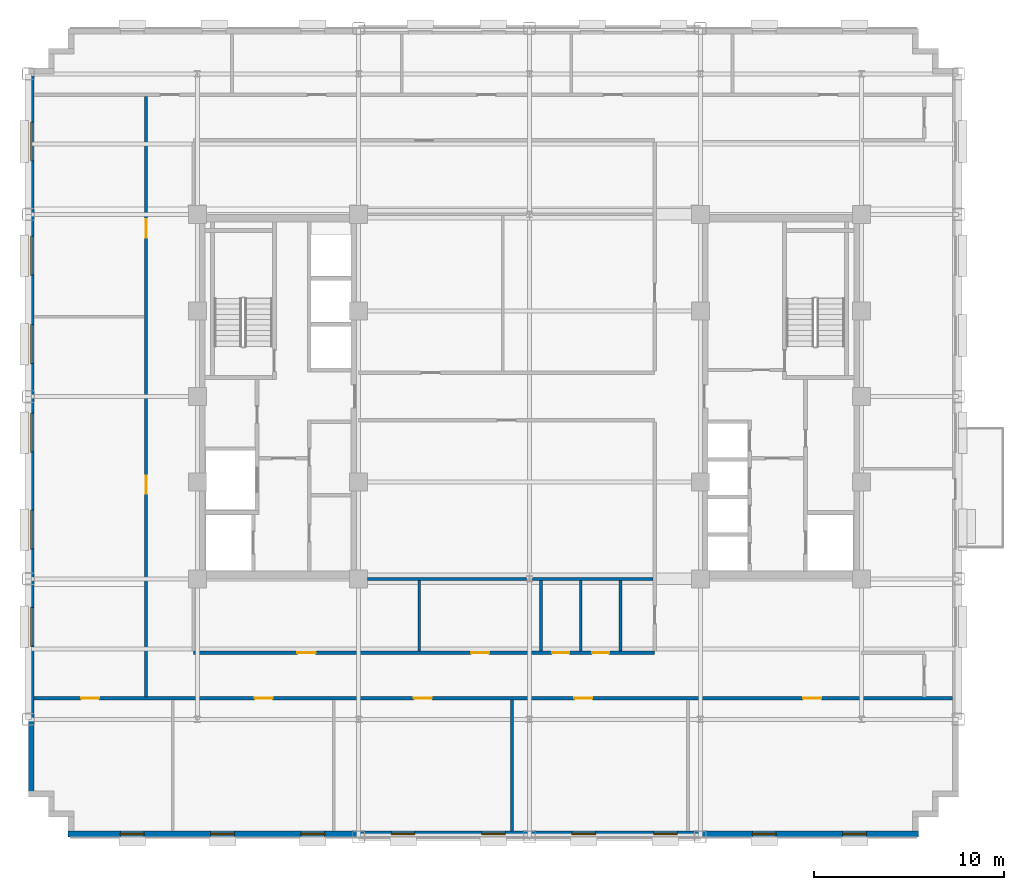
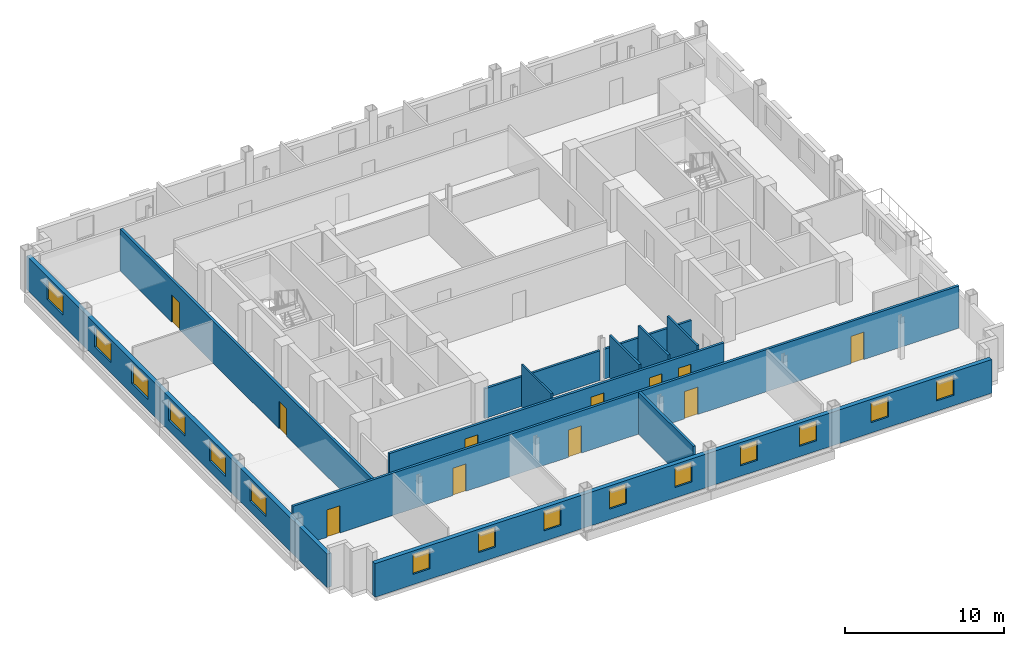
# One storey, part 7 of 14: 15 windows, 12 walls, 11 doors, 26 openings.
"""IFC4 building model written with IfcOpenShell, lengths in metres."""

from ifc_helpers import new_model, si_unit, direction, frame, frame_2d, origin, place, context, subcontext, project, spatial, rectangle, extrude, source, transform, mapped, material, layer, layer_set, type_object, type_shapes, element, fill, save


model = new_model("IFC4")

# Units and contexts
model_context = context("Model", 3, precision=1e-05, world=origin(), true_north=direction((0.0, 1.0)))
body_context = subcontext(model_context, "Body", "Model", "MODEL_VIEW")
ifc_project = project(units=[si_unit("LENGTHUNIT", "METRE"), si_unit("AREAUNIT", "SQUARE_METRE"), si_unit("VOLUMEUNIT", "CUBIC_METRE"), si_unit("PLANEANGLEUNIT", "RADIAN"), si_unit("MASSUNIT", "GRAM", prefix="KILO")], contexts=[model_context])

# Site, building, storey
site_placement = place(None, origin())
site = spatial("IfcSite", under=ifc_project, at=site_placement, CompositionType="ELEMENT")
building_placement = place(site_placement, origin())
building = spatial("IfcBuilding", under=site, at=building_placement, Name="Nuvemarco Arch Tower", CompositionType="ELEMENT")
storey_placement = place(building_placement, frame((0.0, 0.0, 182.25)))
storey = spatial("IfcBuildingStorey", under=building, at=storey_placement, Name="L48", CompositionType="ELEMENT", Elevation=182.25)

# Wall, openings, windows
ifc_material_1 = material(Name="Precast concrete C45/55", Category="concrete")
ifc_layer_1 = layer(ifc_material_1, 0.31005859375, Name="EW-UPP-310")
ifc_layer_set_1 = layer_set([ifc_layer_1], Name="Precast concrete C45/55")
wall_type_1 = type_object("IfcWallType", Name="EW-UPP-310", PredefinedType="STANDARD", material=ifc_layer_set_1)
wall_1_placement = place(storey_placement, frame((-24.300048828125, -23.044921875, 0.0), z_axis=(0.0, 0.0, 1.0), x_axis=(1.0, 0.0, 0.0)))
wall_1 = element("IfcWall", 1, at=wall_1_placement, inside=storey, type_object=wall_type_1, Name="L48 exterior precast facade wall 1", PredefinedType="STANDARD", context=body_context, shape_type="SweptSolid", body=[
    extrude(rectangle(XDim=44.800048828125, YDim=0.31005859375, at=frame_2d((22.39990234375, 0.0))), origin(), (0.0, 0.0, 1.0), 2.5849609375),
])
opening_1_placement = place(wall_1_placement, frame((2.752685546875, 0.0, 0.800048828125)))
opening_1 = element("IfcOpeningElement", 2, at=opening_1_placement, cuts=wall_1, Name="Opening WN-13", PredefinedType="OPENING", context=body_context, shape_type="SweptSolid", body=[
    extrude(rectangle(XDim=1.25, YDim=1.52001953125, at=frame_2d((0.625, 0.760009765625))), frame((0.0, 0.1650390625, 0.0), z_axis=(0.0, -1.0, 0.0), x_axis=(1.0, 0.0, 0.0)), (0.0, 0.0, 1.0), 0.330078125),
])
opening_2_placement = place(wall_1_placement, frame((7.50830078125, 0.0, 0.800048828125)))
opening_2 = element("IfcOpeningElement", 3, at=opening_2_placement, cuts=wall_1, Name="Opening WN-13", PredefinedType="OPENING", context=body_context, shape_type="SweptSolid", body=[
    extrude(rectangle(XDim=1.25, YDim=1.52001953125, at=frame_2d((0.625, 0.760009765625))), frame((0.0, 0.1650390625, 0.0), z_axis=(0.0, -1.0, 0.0), x_axis=(1.0, 0.0, 0.0)), (0.0, 0.0, 1.0), 0.330078125),
])
opening_3_placement = place(wall_1_placement, frame((12.263916015625, 0.0, 0.800048828125)))
opening_3 = element("IfcOpeningElement", 4, at=opening_3_placement, cuts=wall_1, Name="Opening WN-13", PredefinedType="OPENING", context=body_context, shape_type="SweptSolid", body=[
    extrude(rectangle(XDim=1.25, YDim=1.52001953125, at=frame_2d((0.625, 0.760009765625))), frame((0.0, 0.1650390625, 0.0), z_axis=(0.0, -1.0, 0.0), x_axis=(1.0, 0.0, 0.0)), (0.0, 0.0, 1.0), 0.330078125),
])
opening_4_placement = place(wall_1_placement, frame((17.019287109375, 0.0, 0.800048828125)))
opening_4 = element("IfcOpeningElement", 5, at=opening_4_placement, cuts=wall_1, Name="Opening WN-13", PredefinedType="OPENING", context=body_context, shape_type="SweptSolid", body=[
    extrude(rectangle(XDim=1.25, YDim=1.52001953125, at=frame_2d((0.625, 0.760009765625))), frame((0.0, 0.1650390625, 0.0), z_axis=(0.0, -1.0, 0.0), x_axis=(1.0, 0.0, 0.0)), (0.0, 0.0, 1.0), 0.330078125),
])
opening_5_placement = place(wall_1_placement, frame((21.77490234375, 0.0, 0.800048828125)))
opening_5 = element("IfcOpeningElement", 6, at=opening_5_placement, cuts=wall_1, Name="Opening WN-13", PredefinedType="OPENING", context=body_context, shape_type="SweptSolid", body=[
    extrude(rectangle(XDim=1.25, YDim=1.52001953125, at=frame_2d((0.625, 0.760009765625))), frame((0.0, 0.1650390625, 0.0), z_axis=(0.0, -1.0, 0.0), x_axis=(1.0, 0.0, 0.0)), (0.0, 0.0, 1.0), 0.330078125),
])
opening_6_placement = place(wall_1_placement, frame((26.530517578125, 0.0, 0.800048828125)))
opening_6 = element("IfcOpeningElement", 7, at=opening_6_placement, cuts=wall_1, Name="Opening WN-13", PredefinedType="OPENING", context=body_context, shape_type="SweptSolid", body=[
    extrude(rectangle(XDim=1.25, YDim=1.52001953125, at=frame_2d((0.625, 0.760009765625))), frame((0.0, 0.1650390625, 0.0), z_axis=(0.0, -1.0, 0.0), x_axis=(1.0, 0.0, 0.0)), (0.0, 0.0, 1.0), 0.330078125),
])
opening_7_placement = place(wall_1_placement, frame((30.836181640625, 0.0, 0.800048828125)))
opening_7 = element("IfcOpeningElement", 8, at=opening_7_placement, cuts=wall_1, Name="Opening WN-13", PredefinedType="OPENING", context=body_context, shape_type="SweptSolid", body=[
    extrude(rectangle(XDim=1.25, YDim=1.52001953125, at=frame_2d((0.625, 0.760009765625))), frame((0.0, 0.1650390625, 0.0), z_axis=(0.0, -1.0, 0.0), x_axis=(1.0, 0.0, 0.0)), (0.0, 0.0, 1.0), 0.330078125),
])
opening_8_placement = place(wall_1_placement, frame((36.041748046875, 0.0, 0.800048828125)))
opening_8 = element("IfcOpeningElement", 9, at=opening_8_placement, cuts=wall_1, Name="Opening WN-13", PredefinedType="OPENING", context=body_context, shape_type="SweptSolid", body=[
    extrude(rectangle(XDim=1.25, YDim=1.52001953125, at=frame_2d((0.625, 0.760009765625))), frame((0.0, 0.1650390625, 0.0), z_axis=(0.0, -1.0, 0.0), x_axis=(1.0, 0.0, 0.0)), (0.0, 0.0, 1.0), 0.330078125),
])
opening_9_placement = place(wall_1_placement, frame((40.797119140625, 0.0, 0.800048828125)))
opening_9 = element("IfcOpeningElement", 10, at=opening_9_placement, cuts=wall_1, Name="Opening WN-13", PredefinedType="OPENING", context=body_context, shape_type="SweptSolid", body=[
    extrude(rectangle(XDim=1.25, YDim=1.52001953125, at=frame_2d((0.625, 0.760009765625))), frame((0.0, 0.1650390625, 0.0), z_axis=(0.0, -1.0, 0.0), x_axis=(1.0, 0.0, 0.0)), (0.0, 0.0, 1.0), 0.330078125),
])
ifc_material_2 = material(Name="Insulated solar-control glass", Category="glass")
window_type_1 = type_object("IfcWindowType", Name="WN-SET-1250x1520", PartitioningType="SINGLE_PANEL", PredefinedType="WINDOW", material=ifc_material_2)
shared_shape_1 = source(origin(), body_context, "Body", "SweptSolid", [
    extrude(rectangle(XDim=1.25, YDim=1.52001953125, at=frame_2d((0.625, 0.760009765625))), frame((0.0, 0.030029296875, 0.0), z_axis=(0.0, -1.0, 0.0), x_axis=(1.0, 0.0, 0.0)), (0.0, 0.0, 1.0), 0.06005859375),
])
type_shapes(window_type_1, [shared_shape_1])
window_1_placement = place(opening_1_placement, origin())
window_1 = element("IfcWindow", 11, at=window_1_placement, inside=storey, type_object=window_type_1, Name="L48 punched facade window 1", OverallHeight=1.52001953125, OverallWidth=1.25, PartitioningType="SINGLE_PANEL", PredefinedType="WINDOW", context=body_context, shape_type="MappedRepresentation", body=[
    mapped(shared_shape_1, transform((0.0, 0.0, 0.0), scale=1.0)),
])
fill(opening_1, window_1)
window_2_placement = place(opening_2_placement, origin())
window_2 = element("IfcWindow", 12, at=window_2_placement, inside=storey, type_object=window_type_1, Name="L48 punched facade window 2", OverallHeight=1.52001953125, OverallWidth=1.25, PartitioningType="SINGLE_PANEL", PredefinedType="WINDOW", context=body_context, shape_type="MappedRepresentation", body=[
    mapped(shared_shape_1, transform((0.0, 0.0, 0.0), scale=1.0)),
])
fill(opening_2, window_2)
window_3_placement = place(opening_3_placement, origin())
window_3 = element("IfcWindow", 13, at=window_3_placement, inside=storey, type_object=window_type_1, Name="L48 punched facade window 3", OverallHeight=1.52001953125, OverallWidth=1.25, PartitioningType="SINGLE_PANEL", PredefinedType="WINDOW", context=body_context, shape_type="MappedRepresentation", body=[
    mapped(shared_shape_1, transform((0.0, 0.0, 0.0), scale=1.0)),
])
fill(opening_3, window_3)
window_4_placement = place(opening_4_placement, origin())
window_4 = element("IfcWindow", 14, at=window_4_placement, inside=storey, type_object=window_type_1, Name="L48 punched facade window 4", OverallHeight=1.52001953125, OverallWidth=1.25, PartitioningType="SINGLE_PANEL", PredefinedType="WINDOW", context=body_context, shape_type="MappedRepresentation", body=[
    mapped(shared_shape_1, transform((0.0, 0.0, 0.0), scale=1.0)),
])
fill(opening_4, window_4)
window_5_placement = place(opening_5_placement, origin())
window_5 = element("IfcWindow", 15, at=window_5_placement, inside=storey, type_object=window_type_1, Name="L48 punched facade window 5", OverallHeight=1.52001953125, OverallWidth=1.25, PartitioningType="SINGLE_PANEL", PredefinedType="WINDOW", context=body_context, shape_type="MappedRepresentation", body=[
    mapped(shared_shape_1, transform((0.0, 0.0, 0.0), scale=1.0)),
])
fill(opening_5, window_5)
window_6_placement = place(opening_6_placement, origin())
window_6 = element("IfcWindow", 16, at=window_6_placement, inside=storey, type_object=window_type_1, Name="L48 punched facade window 6", OverallHeight=1.52001953125, OverallWidth=1.25, PartitioningType="SINGLE_PANEL", PredefinedType="WINDOW", context=body_context, shape_type="MappedRepresentation", body=[
    mapped(shared_shape_1, transform((0.0, 0.0, 0.0), scale=1.0)),
])
fill(opening_6, window_6)
window_7_placement = place(opening_7_placement, origin())
window_7 = element("IfcWindow", 17, at=window_7_placement, inside=storey, type_object=window_type_1, Name="L48 punched facade window 7", OverallHeight=1.52001953125, OverallWidth=1.25, PartitioningType="SINGLE_PANEL", PredefinedType="WINDOW", context=body_context, shape_type="MappedRepresentation", body=[
    mapped(shared_shape_1, transform((0.0, 0.0, 0.0), scale=1.0)),
])
fill(opening_7, window_7)
window_8_placement = place(opening_8_placement, origin())
window_8 = element("IfcWindow", 18, at=window_8_placement, inside=storey, type_object=window_type_1, Name="L48 punched facade window 8", OverallHeight=1.52001953125, OverallWidth=1.25, PartitioningType="SINGLE_PANEL", PredefinedType="WINDOW", context=body_context, shape_type="MappedRepresentation", body=[
    mapped(shared_shape_1, transform((0.0, 0.0, 0.0), scale=1.0)),
])
fill(opening_8, window_8)
window_9_placement = place(opening_9_placement, origin())
window_9 = element("IfcWindow", 19, at=window_9_placement, inside=storey, type_object=window_type_1, Name="L48 punched facade window 9", OverallHeight=1.52001953125, OverallWidth=1.25, PartitioningType="SINGLE_PANEL", PredefinedType="WINDOW", context=body_context, shape_type="MappedRepresentation", body=[
    mapped(shared_shape_1, transform((0.0, 0.0, 0.0), scale=1.0)),
])
fill(opening_9, window_9)

wall_2_placement = place(storey_placement, frame((-26.2451171875, -20.7939453125, 0.0), z_axis=(0.0, 0.0, 1.0), x_axis=(0.0, 1.0, 0.0)))
wall_2 = element("IfcWall", 20, at=wall_2_placement, inside=storey, type_object=wall_type_1, Name="L48 exterior precast facade wall 16", PredefinedType="STANDARD", context=body_context, shape_type="SweptSolid", body=[
    extrude(rectangle(XDim=37.787841796875, YDim=0.31005859375, at=frame_2d((18.89404296875, 0.0))), origin(), (0.0, 0.0, 1.0), 2.5849609375),
])
opening_10_placement = place(wall_2_placement, frame((7.643798828125, 0.0, 0.800048828125)))
opening_10 = element("IfcOpeningElement", 21, at=opening_10_placement, cuts=wall_2, Name="Opening WN-12", PredefinedType="OPENING", context=body_context, shape_type="SweptSolid", body=[
    extrude(rectangle(XDim=2.050048828125, YDim=1.52001953125, at=frame_2d((1.02490234375, 0.760009765625))), frame((0.0, 0.1650390625, 0.0), z_axis=(0.0, -1.0, 0.0), x_axis=(1.0, 0.0, 0.0)), (0.0, 0.0, 1.0), 0.330078125),
])
opening_11_placement = place(wall_2_placement, frame((12.75634765625, 0.0, 0.800048828125)))
opening_11 = element("IfcOpeningElement", 22, at=opening_11_placement, cuts=wall_2, Name="Opening WN-12", PredefinedType="OPENING", context=body_context, shape_type="SweptSolid", body=[
    extrude(rectangle(XDim=2.050048828125, YDim=1.52001953125, at=frame_2d((1.02490234375, 0.760009765625))), frame((0.0, 0.1650390625, 0.0), z_axis=(0.0, -1.0, 0.0), x_axis=(1.0, 0.0, 0.0)), (0.0, 0.0, 1.0), 0.330078125),
])
opening_12_placement = place(wall_2_placement, frame((17.868896484375, 0.0, 0.800048828125)))
opening_12 = element("IfcOpeningElement", 23, at=opening_12_placement, cuts=wall_2, Name="Opening WN-12", PredefinedType="OPENING", context=body_context, shape_type="SweptSolid", body=[
    extrude(rectangle(XDim=2.050048828125, YDim=1.52001953125, at=frame_2d((1.02490234375, 0.760009765625))), frame((0.0, 0.1650390625, 0.0), z_axis=(0.0, -1.0, 0.0), x_axis=(1.0, 0.0, 0.0)), (0.0, 0.0, 1.0), 0.330078125),
])
opening_13_placement = place(wall_2_placement, frame((22.531494140625, 0.0, 0.800048828125)))
opening_13 = element("IfcOpeningElement", 24, at=opening_13_placement, cuts=wall_2, Name="Opening WN-12", PredefinedType="OPENING", context=body_context, shape_type="SweptSolid", body=[
    extrude(rectangle(XDim=2.050048828125, YDim=1.52001953125, at=frame_2d((1.02490234375, 0.760009765625))), frame((0.0, 0.1650390625, 0.0), z_axis=(0.0, -1.0, 0.0), x_axis=(1.0, 0.0, 0.0)), (0.0, 0.0, 1.0), 0.330078125),
])
opening_14_placement = place(wall_2_placement, frame((27.194091796875, 0.0, 0.800048828125)))
opening_14 = element("IfcOpeningElement", 25, at=opening_14_placement, cuts=wall_2, Name="Opening WN-12", PredefinedType="OPENING", context=body_context, shape_type="SweptSolid", body=[
    extrude(rectangle(XDim=2.050048828125, YDim=1.52001953125, at=frame_2d((1.02490234375, 0.760009765625))), frame((0.0, 0.1650390625, 0.0), z_axis=(0.0, -1.0, 0.0), x_axis=(1.0, 0.0, 0.0)), (0.0, 0.0, 1.0), 0.330078125),
])
opening_15_placement = place(wall_2_placement, frame((33.206787109375, 0.0, 0.800048828125)))
opening_15 = element("IfcOpeningElement", 26, at=opening_15_placement, cuts=wall_2, Name="Opening WN-12", PredefinedType="OPENING", context=body_context, shape_type="SweptSolid", body=[
    extrude(rectangle(XDim=2.050048828125, YDim=1.52001953125, at=frame_2d((1.02490234375, 0.760009765625))), frame((0.0, 0.1650390625, 0.0), z_axis=(0.0, -1.0, 0.0), x_axis=(1.0, 0.0, 0.0)), (0.0, 0.0, 1.0), 0.330078125),
])
window_type_2 = type_object("IfcWindowType", Name="WN-SET-2050x1520", PartitioningType="DOUBLE_PANEL_VERTICAL", PredefinedType="WINDOW", material=ifc_material_2)
shared_shape_2 = source(origin(), body_context, "Body", "SweptSolid", [
    extrude(rectangle(XDim=2.050048828125, YDim=1.52001953125, at=frame_2d((1.02490234375, 0.760009765625))), frame((0.0, 0.030029296875, 0.0), z_axis=(0.0, -1.0, 0.0), x_axis=(1.0, 0.0, 0.0)), (0.0, 0.0, 1.0), 0.06005859375),
])
type_shapes(window_type_2, [shared_shape_2])
window_10_placement = place(opening_10_placement, origin())
window_10 = element("IfcWindow", 27, at=window_10_placement, inside=storey, type_object=window_type_2, Name="L48 punched facade window 2", OverallHeight=1.52001953125, OverallWidth=2.050048828125, PartitioningType="SINGLE_PANEL", PredefinedType="WINDOW", context=body_context, shape_type="MappedRepresentation", body=[
    mapped(shared_shape_2, transform((0.0, 0.0, 0.0), scale=1.0)),
])
fill(opening_10, window_10)
window_11_placement = place(opening_11_placement, origin())
window_11 = element("IfcWindow", 28, at=window_11_placement, inside=storey, type_object=window_type_2, Name="L48 punched facade window 3", OverallHeight=1.52001953125, OverallWidth=2.050048828125, PartitioningType="SINGLE_PANEL", PredefinedType="WINDOW", context=body_context, shape_type="MappedRepresentation", body=[
    mapped(shared_shape_2, transform((0.0, 0.0, 0.0), scale=1.0)),
])
fill(opening_11, window_11)
window_12_placement = place(opening_12_placement, origin())
window_12 = element("IfcWindow", 29, at=window_12_placement, inside=storey, type_object=window_type_2, Name="L48 punched facade window 4", OverallHeight=1.52001953125, OverallWidth=2.050048828125, PartitioningType="SINGLE_PANEL", PredefinedType="WINDOW", context=body_context, shape_type="MappedRepresentation", body=[
    mapped(shared_shape_2, transform((0.0, 0.0, 0.0), scale=1.0)),
])
fill(opening_12, window_12)
window_13_placement = place(opening_13_placement, origin())
window_13 = element("IfcWindow", 30, at=window_13_placement, inside=storey, type_object=window_type_2, Name="L48 punched facade window 5", OverallHeight=1.52001953125, OverallWidth=2.050048828125, PartitioningType="SINGLE_PANEL", PredefinedType="WINDOW", context=body_context, shape_type="MappedRepresentation", body=[
    mapped(shared_shape_2, transform((0.0, 0.0, 0.0), scale=1.0)),
])
fill(opening_13, window_13)
window_14_placement = place(opening_14_placement, origin())
window_14 = element("IfcWindow", 31, at=window_14_placement, inside=storey, type_object=window_type_2, Name="L48 punched facade window 6", OverallHeight=1.52001953125, OverallWidth=2.050048828125, PartitioningType="SINGLE_PANEL", PredefinedType="WINDOW", context=body_context, shape_type="MappedRepresentation", body=[
    mapped(shared_shape_2, transform((0.0, 0.0, 0.0), scale=1.0)),
])
fill(opening_14, window_14)
window_15_placement = place(opening_15_placement, origin())
window_15 = element("IfcWindow", 32, at=window_15_placement, inside=storey, type_object=window_type_2, Name="L48 punched facade window 7", OverallHeight=1.52001953125, OverallWidth=2.050048828125, PartitioningType="SINGLE_PANEL", PredefinedType="WINDOW", context=body_context, shape_type="MappedRepresentation", body=[
    mapped(shared_shape_2, transform((0.0, 0.0, 0.0), scale=1.0)),
])
fill(opening_15, window_15)

# Wall, openings, doors
ifc_material_3 = material(Name="Fire-rated gypsum drywall partition")
ifc_layer_2 = layer(ifc_material_3, 0.179931640625, Name="WL-CORR-180")
ifc_layer_set_2 = layer_set([ifc_layer_2], Name="Fire-rated gypsum drywall partition")
wall_type_2 = type_object("IfcWallType", Name="WL-CORR-180", PredefinedType="PARTITIONING", material=ifc_layer_set_2)
wall_3_placement = place(storey_placement, frame((-26.090087890625, -15.89990234375, 0.0), z_axis=(0.0, 0.0, 1.0), x_axis=(1.0, 0.0, 0.0)))
wall_3 = element("IfcWall", 33, at=wall_3_placement, inside=storey, type_object=wall_type_2, Name="L48 interior wall IW-L48-001", PredefinedType="PARTITIONING", context=body_context, shape_type="SweptSolid", body=[
    extrude(rectangle(XDim=48.380126953125, YDim=0.179931640625, at=frame_2d((24.18994140625, 0.0))), origin(), (0.0, 0.0, 1.0), 3.239990234375),
])
opening_16_placement = place(wall_3_placement, frame((40.510009765625, 0.0, 0.0)))
opening_16 = element("IfcOpeningElement", 34, at=opening_16_placement, cuts=wall_3, Name="Opening FD-5", PredefinedType="OPENING", context=body_context, shape_type="SweptSolid", body=[
    extrude(rectangle(XDim=0.9599609375, YDim=2.10009765625, at=frame_2d((0.47998046875, 1.050048828125))), frame((0.0, 0.099853515625, 0.0), z_axis=(0.0, -1.0, 0.0), x_axis=(1.0, 0.0, 0.0)), (0.0, 0.0, 1.0), 0.199951171875),
])
opening_17_placement = place(wall_3_placement, frame((19.9951171875, 0.0, 0.0)))
opening_17 = element("IfcOpeningElement", 35, at=opening_17_placement, cuts=wall_3, Name="Opening FD-5", PredefinedType="OPENING", context=body_context, shape_type="SweptSolid", body=[
    extrude(rectangle(XDim=0.9599609375, YDim=2.10009765625, at=frame_2d((0.47998046875, 1.050048828125))), frame((0.0, 0.099853515625, 0.0), z_axis=(0.0, -1.0, 0.0), x_axis=(1.0, 0.0, 0.0)), (0.0, 0.0, 1.0), 0.199951171875),
])
opening_18_placement = place(wall_3_placement, frame((28.449951171875, 0.0, 0.0)))
opening_18 = element("IfcOpeningElement", 36, at=opening_18_placement, cuts=wall_3, Name="Opening FD-5", PredefinedType="OPENING", context=body_context, shape_type="SweptSolid", body=[
    extrude(rectangle(XDim=0.9599609375, YDim=2.10009765625, at=frame_2d((0.47998046875, 1.050048828125))), frame((0.0, 0.099853515625, 0.0), z_axis=(0.0, -1.0, 0.0), x_axis=(1.0, 0.0, 0.0)), (0.0, 0.0, 1.0), 0.199951171875),
])
opening_19_placement = place(wall_3_placement, frame((11.60498046875, 0.0, 0.0)))
opening_19 = element("IfcOpeningElement", 37, at=opening_19_placement, cuts=wall_3, Name="Opening FD-5", PredefinedType="OPENING", context=body_context, shape_type="SweptSolid", body=[
    extrude(rectangle(XDim=0.9599609375, YDim=2.10009765625, at=frame_2d((0.47998046875, 1.050048828125))), frame((0.0, 0.099853515625, 0.0), z_axis=(0.0, -1.0, 0.0), x_axis=(1.0, 0.0, 0.0)), (0.0, 0.0, 1.0), 0.199951171875),
])
opening_20_placement = place(wall_3_placement, frame((2.465087890625, 0.0, 0.0)))
opening_20 = element("IfcOpeningElement", 38, at=opening_20_placement, cuts=wall_3, Name="Opening FD-5", PredefinedType="OPENING", context=body_context, shape_type="SweptSolid", body=[
    extrude(rectangle(XDim=0.9599609375, YDim=2.10009765625, at=frame_2d((0.47998046875, 1.050048828125))), frame((0.0, 0.099853515625, 0.0), z_axis=(0.0, -1.0, 0.0), x_axis=(1.0, 0.0, 0.0)), (0.0, 0.0, 1.0), 0.199951171875),
])
ifc_material_4 = material(Name="Timber fire door", Category="wood")
door_type_1 = type_object("IfcDoorType", Name="DR-CORR-FD", OperationType="NOTDEFINED", PredefinedType="DOOR", material=ifc_material_4)
shared_shape_3 = source(origin(), body_context, "Body", "SweptSolid", [
    extrude(rectangle(XDim=0.9599609375, YDim=2.10009765625, at=frame_2d((0.47998046875, 1.050048828125))), frame((0.0, 0.02490234375, 0.0), z_axis=(0.0, -1.0, 0.0), x_axis=(1.0, 0.0, 0.0)), (0.0, 0.0, 1.0), 0.050048828125),
])
type_shapes(door_type_1, [shared_shape_3])
door_1_placement = place(opening_16_placement, origin())
door_1 = element("IfcDoor", 39, at=door_1_placement, inside=storey, type_object=door_type_1, Name="L48 door DR-L48-S_5", OperationType="SINGLE_SWING_RIGHT", OverallHeight=2.10009765625, OverallWidth=0.9599609375, PredefinedType="DOOR", context=body_context, shape_type="MappedRepresentation", body=[
    mapped(shared_shape_3, transform((0.0, 0.0, 0.0), scale=1.0)),
])
fill(opening_16, door_1)
door_2_placement = place(opening_17_placement, origin())
door_2 = element("IfcDoor", 40, at=door_2_placement, inside=storey, type_object=door_type_1, Name="L48 door DR-L48-S_3", OperationType="SINGLE_SWING_RIGHT", OverallHeight=2.10009765625, OverallWidth=0.9599609375, PredefinedType="DOOR", context=body_context, shape_type="MappedRepresentation", body=[
    mapped(shared_shape_3, transform((0.0, 0.0, 0.0), scale=1.0)),
])
fill(opening_17, door_2)
door_3_placement = place(opening_18_placement, origin())
door_3 = element("IfcDoor", 41, at=door_3_placement, inside=storey, type_object=door_type_1, Name="L48 door DR-L48-S_4", OperationType="SINGLE_SWING_RIGHT", OverallHeight=2.10009765625, OverallWidth=0.9599609375, PredefinedType="DOOR", context=body_context, shape_type="MappedRepresentation", body=[
    mapped(shared_shape_3, transform((0.0, 0.0, 0.0), scale=1.0)),
])
fill(opening_18, door_3)
door_4_placement = place(opening_19_placement, origin())
door_4 = element("IfcDoor", 42, at=door_4_placement, inside=storey, type_object=door_type_1, Name="L48 door DR-L48-S_2", OperationType="SINGLE_SWING_LEFT", OverallHeight=2.10009765625, OverallWidth=0.9599609375, PredefinedType="DOOR", context=body_context, shape_type="MappedRepresentation", body=[
    mapped(shared_shape_3, transform((0.0, 0.0, 0.0), scale=1.0)),
])
fill(opening_19, door_4)
door_5_placement = place(opening_20_placement, origin())
door_5 = element("IfcDoor", 43, at=door_5_placement, inside=storey, type_object=door_type_1, Name="L48 door DR-L48-S_1", OperationType="SINGLE_SWING_RIGHT", OverallHeight=2.10009765625, OverallWidth=0.9599609375, PredefinedType="DOOR", context=body_context, shape_type="MappedRepresentation", body=[
    mapped(shared_shape_3, transform((0.0, 0.0, 0.0), scale=1.0)),
])
fill(opening_20, door_5)

wall_4_placement = place(storey_placement, frame((-17.699951171875, -13.5, 0.0), z_axis=(0.0, 0.0, 1.0), x_axis=(1.0, 0.0, 0.0)))
wall_4 = element("IfcWall", 44, at=wall_4_placement, inside=storey, type_object=wall_type_2, Name="L48 interior wall IW-L48-002", PredefinedType="PARTITIONING", context=body_context, shape_type="SweptSolid", body=[
    extrude(rectangle(XDim=24.300048828125, YDim=0.179931640625, at=frame_2d((12.14990234375, 0.0))), origin(), (0.0, 0.0, 1.0), 2.887939453125),
])
opening_21_placement = place(wall_4_placement, frame((5.469970703125, 0.0, 0.0)))
opening_21 = element("IfcOpeningElement", 45, at=opening_21_placement, cuts=wall_4, Name="Opening FD-5", PredefinedType="OPENING", context=body_context, shape_type="SweptSolid", body=[
    extrude(rectangle(XDim=0.9599609375, YDim=2.10009765625, at=frame_2d((0.47998046875, 1.050048828125))), frame((0.0, 0.099853515625, 0.0), z_axis=(0.0, -1.0, 0.0), x_axis=(1.0, 0.0, 0.0)), (0.0, 0.0, 1.0), 0.199951171875),
])
opening_22_placement = place(wall_4_placement, frame((14.6201171875, 0.0, 0.0)))
opening_22 = element("IfcOpeningElement", 46, at=opening_22_placement, cuts=wall_4, Name="Opening FD-5", PredefinedType="OPENING", context=body_context, shape_type="SweptSolid", body=[
    extrude(rectangle(XDim=0.9599609375, YDim=2.10009765625, at=frame_2d((0.47998046875, 1.050048828125))), frame((0.0, 0.099853515625, 0.0), z_axis=(0.0, -1.0, 0.0), x_axis=(1.0, 0.0, 0.0)), (0.0, 0.0, 1.0), 0.199951171875),
])
opening_23_placement = place(wall_4_placement, frame((18.89990234375, 0.0, 0.0)))
opening_23 = element("IfcOpeningElement", 47, at=opening_23_placement, cuts=wall_4, Name="Opening ID-3", PredefinedType="OPENING", context=body_context, shape_type="SweptSolid", body=[
    extrude(rectangle(XDim=0.89990234375, YDim=2.10009765625, at=frame_2d((0.449951171875, 1.050048828125))), frame((0.0, 0.099853515625, 0.0), z_axis=(0.0, -1.0, 0.0), x_axis=(1.0, 0.0, 0.0)), (0.0, 0.0, 1.0), 0.199951171875),
])
opening_24_placement = place(wall_4_placement, frame((21.0, 0.0, 0.0)))
opening_24 = element("IfcOpeningElement", 48, at=opening_24_placement, cuts=wall_4, Name="Opening ID-3", PredefinedType="OPENING", context=body_context, shape_type="SweptSolid", body=[
    extrude(rectangle(XDim=0.89990234375, YDim=2.10009765625, at=frame_2d((0.449951171875, 1.050048828125))), frame((0.0, 0.099853515625, 0.0), z_axis=(0.0, -1.0, 0.0), x_axis=(1.0, 0.0, 0.0)), (0.0, 0.0, 1.0), 0.199951171875),
])
door_6_placement = place(opening_21_placement, origin())
door_6 = element("IfcDoor", 49, at=door_6_placement, inside=storey, type_object=door_type_1, Name="L48 door DR-L48-IN_S1", OperationType="SINGLE_SWING_LEFT", OverallHeight=2.10009765625, OverallWidth=0.9599609375, PredefinedType="DOOR", context=body_context, shape_type="MappedRepresentation", body=[
    mapped(shared_shape_3, transform((0.0, 0.0, 0.0), scale=1.0)),
])
fill(opening_21, door_6)
door_7_placement = place(opening_22_placement, origin())
door_7 = element("IfcDoor", 50, at=door_7_placement, inside=storey, type_object=door_type_1, Name="L48 door DR-L48-IN_S2", OperationType="SINGLE_SWING_RIGHT", OverallHeight=2.10009765625, OverallWidth=0.9599609375, PredefinedType="DOOR", context=body_context, shape_type="MappedRepresentation", body=[
    mapped(shared_shape_3, transform((0.0, 0.0, 0.0), scale=1.0)),
])
fill(opening_22, door_7)
ifc_material_5 = material(Name="Veneered oak timber fire door", Category="wood")
door_type_2 = type_object("IfcDoorType", Name="DR-WC-ACC", OperationType="NOTDEFINED", PredefinedType="DOOR", material=ifc_material_5)
shared_shape_4 = source(origin(), body_context, "Body", "SweptSolid", [
    extrude(rectangle(XDim=0.89990234375, YDim=2.10009765625, at=frame_2d((0.449951171875, 1.050048828125))), frame((0.0, 0.02490234375, 0.0), z_axis=(0.0, -1.0, 0.0), x_axis=(1.0, 0.0, 0.0)), (0.0, 0.0, 1.0), 0.050048828125),
])
type_shapes(door_type_2, [shared_shape_4])
door_8_placement = place(opening_23_placement, origin())
door_8 = element("IfcDoor", 51, at=door_8_placement, inside=storey, type_object=door_type_2, Name="L48 door DR-L48-WC_M", OperationType="SINGLE_SWING_RIGHT", OverallHeight=2.10009765625, OverallWidth=0.89990234375, PredefinedType="DOOR", context=body_context, shape_type="MappedRepresentation", body=[
    mapped(shared_shape_4, transform((0.0, 0.0, 0.0), scale=1.0)),
])
fill(opening_23, door_8)
door_9_placement = place(opening_24_placement, origin())
door_9 = element("IfcDoor", 52, at=door_9_placement, inside=storey, type_object=door_type_2, Name="L48 door DR-L48-WC_F", OperationType="SINGLE_SWING_LEFT", OverallHeight=2.10009765625, OverallWidth=0.89990234375, PredefinedType="DOOR", context=body_context, shape_type="MappedRepresentation", body=[
    mapped(shared_shape_4, transform((0.0, 0.0, 0.0), scale=1.0)),
])
fill(opening_24, door_9)

wall_5_placement = place(storey_placement, frame((-20.199951171875, -15.81396484375, 0.0), z_axis=(0.0, 0.0, 1.0), x_axis=(0.0, 1.0, 0.0)))
wall_5 = element("IfcWall", 53, at=wall_5_placement, inside=storey, type_object=wall_type_2, Name="L48 interior wall IW-L48-015", PredefinedType="PARTITIONING", context=body_context, shape_type="SweptSolid", body=[
    extrude(rectangle(XDim=31.6279296875, YDim=0.179931640625, at=frame_2d((15.81396484375, 0.0))), origin(), (0.0, 0.0, 1.0), 3.239990234375),
])
opening_25_placement = place(wall_5_placement, frame((10.68408203125, 0.0, 0.0)))
opening_25 = element("IfcOpeningElement", 54, at=opening_25_placement, cuts=wall_5, Name="Opening FD-5", PredefinedType="OPENING", context=body_context, shape_type="SweptSolid", body=[
    extrude(rectangle(XDim=0.9599609375, YDim=2.10009765625, at=frame_2d((0.47998046875, 1.050048828125))), frame((0.0, 0.099853515625, 0.0), z_axis=(0.0, -1.0, 0.0), x_axis=(1.0, 0.0, 0.0)), (0.0, 0.0, 1.0), 0.199951171875),
])
opening_26_placement = place(wall_5_placement, frame((24.18408203125, 0.0, 0.0)))
opening_26 = element("IfcOpeningElement", 55, at=opening_26_placement, cuts=wall_5, Name="Opening FD-5", PredefinedType="OPENING", context=body_context, shape_type="SweptSolid", body=[
    extrude(rectangle(XDim=0.9599609375, YDim=2.10009765625, at=frame_2d((0.47998046875, 1.050048828125))), frame((0.0, 0.099853515625, 0.0), z_axis=(0.0, -1.0, 0.0), x_axis=(1.0, 0.0, 0.0)), (0.0, 0.0, 1.0), 0.199951171875),
])
door_10_placement = place(opening_25_placement, origin())
door_10 = element("IfcDoor", 56, at=door_10_placement, inside=storey, type_object=door_type_1, Name="L48 door DR-L48-W_1", OperationType="SINGLE_SWING_LEFT", OverallHeight=2.10009765625, OverallWidth=0.9599609375, PredefinedType="DOOR", context=body_context, shape_type="MappedRepresentation", body=[
    mapped(shared_shape_3, transform((0.0, 0.0, 0.0), scale=1.0)),
])
fill(opening_25, door_10)
door_11_placement = place(opening_26_placement, origin())
door_11 = element("IfcDoor", 57, at=door_11_placement, inside=storey, type_object=door_type_1, Name="L48 door DR-L48-W_2", OperationType="SINGLE_SWING_LEFT", OverallHeight=2.10009765625, OverallWidth=0.9599609375, PredefinedType="DOOR", context=body_context, shape_type="MappedRepresentation", body=[
    mapped(shared_shape_3, transform((0.0, 0.0, 0.0), scale=1.0)),
])
fill(opening_26, door_11)

# Walls
wall_6_placement = place(storey_placement, frame((-0.919921875, -22.889892578125, 0.0), z_axis=(0.0, 0.0, 1.0), x_axis=(0.0, 1.0, 0.0)))
element("IfcWall", 58, at=wall_6_placement, inside=storey, type_object=wall_type_2, Name="L48 interior wall IW-L48-024", PredefinedType="PARTITIONING", context=body_context, shape_type="SweptSolid", body=[
    extrude(rectangle(XDim=6.90380859375, YDim=0.179931640625, at=frame_2d((3.451904296875, 0.0))), origin(), (0.0, 0.0, 1.0), 3.239990234375),
])
ifc_material_6 = material(Name="Glazed acoustic office partition")
ifc_layer_3 = layer(ifc_material_6, 0.1298828125, Name="WL-EXEC-130")
ifc_layer_set_3 = layer_set([ifc_layer_3], Name="Glazed acoustic office partition")
wall_type_3 = type_object("IfcWallType", Name="WL-EXEC-130", PredefinedType="PARTITIONING", material=ifc_layer_set_3)
wall_7_placement = place(storey_placement, frame((-5.800048828125, -13.4140625, 0.0), z_axis=(0.0, 0.0, 1.0), x_axis=(0.0, 1.0, 0.0)))
element("IfcWall", 59, at=wall_7_placement, inside=storey, type_object=wall_type_3, Name="L48 interior wall IW-L48-022", PredefinedType="PARTITIONING", context=body_context, shape_type="SweptSolid", body=[
    extrude(rectangle(XDim=3.738037109375, YDim=0.1298828125, at=frame_2d((1.869140625, 0.0))), origin(), (0.0, 0.0, 1.0), 3.239990234375),
])
ifc_material_7 = material(Name="Acoustic gypsum drywall partition")
ifc_layer_4 = layer(ifc_material_7, 0.159912109375, Name="WL-TENANT-160")
ifc_layer_set_4 = layer_set([ifc_layer_4], Name="Acoustic gypsum drywall partition")
wall_type_4 = type_object("IfcWallType", Name="WL-TENANT-160", PredefinedType="PARTITIONING", material=ifc_layer_set_4)
wall_8_placement = place(storey_placement, frame((-8.529052734375, -9.60009765625, 0.0), z_axis=(0.0, 0.0, 1.0), x_axis=(1.0, 0.0, 0.0)))
element("IfcWall", 60, at=wall_8_placement, inside=storey, type_object=wall_type_4, Name="L48 interior wall IW-L48-004", PredefinedType="PARTITIONING", context=body_context, shape_type="SweptSolid", body=[
    extrude(rectangle(XDim=8.378173828125, YDim=0.159912109375, at=frame_2d((4.18896484375, 0.0))), origin(), (0.0, 0.0, 1.0), 2.284912109375),
])
wall_9_placement = place(storey_placement, frame((0.15087890625, -9.60009765625, 0.0), z_axis=(0.0, 0.0, 1.0), x_axis=(1.0, 0.0, 0.0)))
element("IfcWall", 61, at=wall_9_placement, inside=storey, type_object=wall_type_4, Name="L48 interior wall IW-L48-005", PredefinedType="PARTITIONING", context=body_context, shape_type="SweptSolid", body=[
    extrude(rectangle(XDim=6.363037109375, YDim=0.159912109375, at=frame_2d((3.181640625, 0.0))), origin(), (0.0, 0.0, 1.0), 2.284912109375),
])
ifc_material_8 = material(Name="Moisture-resistant gypsum partition")
ifc_layer_5 = layer(ifc_material_8, 0.14990234375, Name="WL-WET-150")
ifc_layer_set_5 = layer_set([ifc_layer_5], Name="Moisture-resistant gypsum partition")
wall_type_5 = type_object("IfcWallType", Name="WL-WET-150", PredefinedType="PARTITIONING", material=ifc_layer_set_5)
for number, where, z_axis, x_axis, name in (
    (62, (0.60009765625, -13.4140625, 0.0), (0.0, 0.0, 1.0), (0.0, 1.0, 0.0), "L48 interior wall IW-L48-025"),
    (63, (2.699951171875, -13.4140625, 0.0), (0.0, 0.0, 1.0), (0.0, 1.0, 0.0), "L48 interior wall IW-L48-027"),
    (64, (4.800048828125, -13.4140625, 0.0), (0.0, 0.0, 1.0), (0.0, 1.0, 0.0), "L48 interior wall IW-L48-028"),
):
    element("IfcWall", number, at=place(storey_placement, frame(where, z_axis=z_axis, x_axis=x_axis)), inside=storey, type_object=wall_type_5, Name=name, PredefinedType="PARTITIONING", context=body_context, shape_type="SweptSolid", body=[
        extrude(rectangle(XDim=3.738037109375, YDim=0.14990234375, at=frame_2d((1.869140625, 0.0))), origin(), (0.0, 0.0, 1.0), 3.239990234375),
    ])

save(model, "model.ifc")
